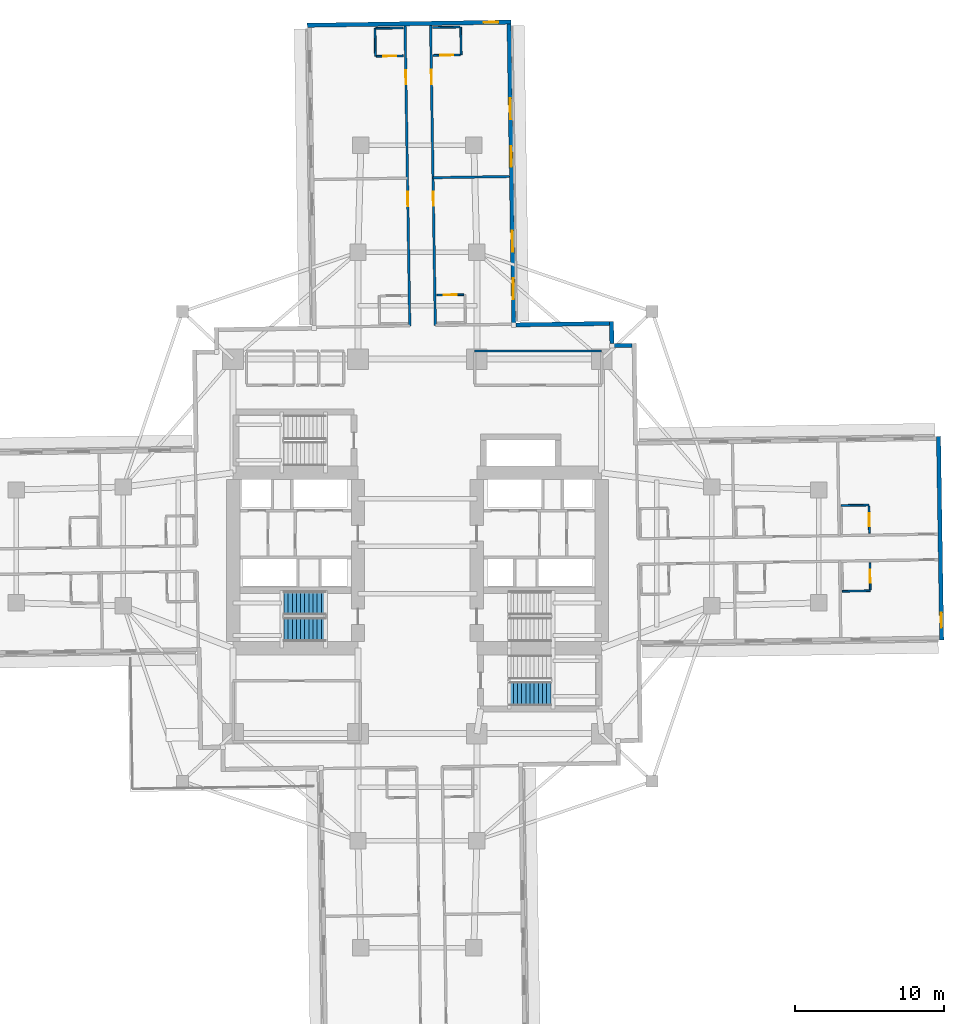
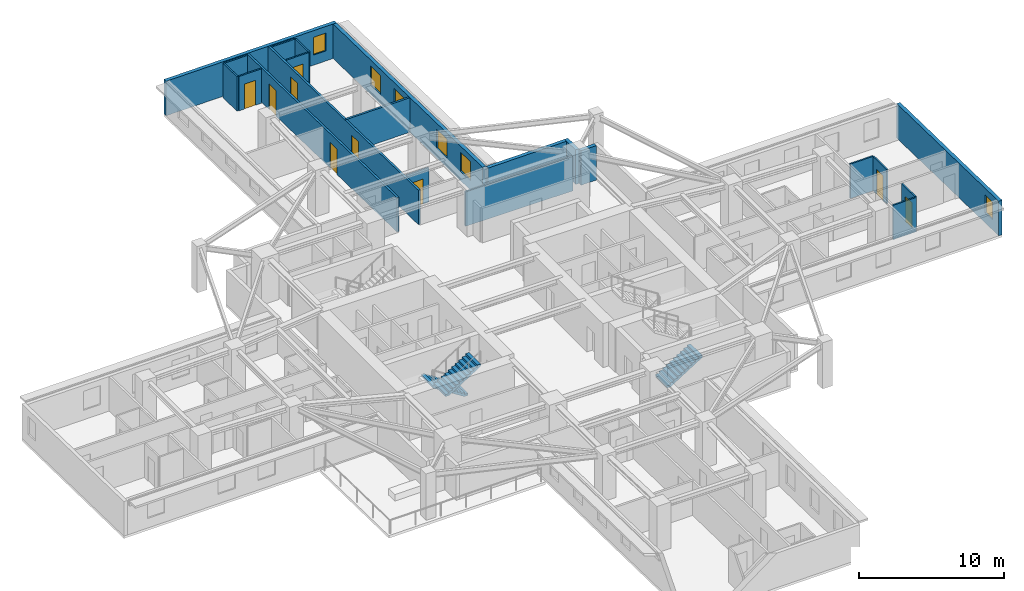
# One storey, part 8 of 14: 21 walls, 9 doors, 6 windows, 3 stair flights, 15 openings, 2 elements without a shape of their own.
"""IFC4 building model written with IfcOpenShell, lengths in metres."""

from ifc_helpers import new_model, si_unit, direction, frame, frame_2d, origin, place, context, subcontext, project, spatial, polyline, rectangle, outline, extrude, material, layer, layer_set, type_object, element, fill, aggregate, save


model = new_model("IFC4")

# Units and contexts
model_context = context("Model", 3, precision=1e-05, world=origin(), true_north=direction((0.0, 1.0)))
body_context = subcontext(model_context, "Body", "Model", "MODEL_VIEW")
ifc_project = project(units=[si_unit("LENGTHUNIT", "METRE"), si_unit("AREAUNIT", "SQUARE_METRE"), si_unit("VOLUMEUNIT", "CUBIC_METRE"), si_unit("PLANEANGLEUNIT", "RADIAN"), si_unit("MASSUNIT", "GRAM", prefix="KILO")], contexts=[model_context])

# Site, building, storey
site_placement = place(None, origin())
site = spatial("IfcSite", under=ifc_project, at=site_placement, CompositionType="ELEMENT")
building_placement = place(site_placement, origin())
building = spatial("IfcBuilding", under=site, at=building_placement, Name="Qingluan Cross Belvedere", CompositionType="ELEMENT")
storey_placement = place(building_placement, frame((0.0, 0.0, 60.0)))
storey = spatial("IfcBuildingStorey", under=building, at=storey_placement, Name="L15", CompositionType="ELEMENT", Elevation=60.0)

# Wall
ifc_material_1 = material(Name="Gypsum plasterboard on steel stud acoustic partition", Category="steel")
ifc_layer_1 = layer(ifc_material_1, 0.159912109375, Name="CorridorPartition_160")
ifc_layer_set_1 = layer_set([ifc_layer_1], Name="Gypsum plasterboard on steel stud acoustic partition")
wall_type_1 = type_object("IfcWallType", Name="CorridorPartition_160", PredefinedType="PARTITIONING", material=ifc_layer_set_1)
wall_1_placement = place(storey_placement, frame((3.85009765625, 13.14990234375, 0.0), z_axis=(0.0, 0.0, 1.0), x_axis=(1.0, 0.0, 0.0)))
element("IfcWall", 1, at=wall_1_placement, inside=storey, type_object=wall_type_1, Name="Partition L15:q_ne:N", PredefinedType="PARTITIONING", context=body_context, shape_type="SweptSolid", body=[
    extrude(rectangle(XDim=8.5498046875, YDim=0.159912109375, at=frame_2d((4.27490234375, 0.0))), origin(), (0.0, 0.0, 1.0), 2.89990234375),
])

# Wall, openings, doors
wall_2_placement = place(storey_placement, frame((1.20654296875, 14.870849609375, 0.0), z_axis=(0.0, 0.0, 1.0), x_axis=(-0.015713987169, 0.999876527681, 0.0)))
wall_2 = element("IfcWall", 2, at=wall_2_placement, inside=storey, type_object=wall_type_1, Name="Partition L15:N:c0", PredefinedType="PARTITIONING", context=body_context, shape_type="SweptSolid", body=[
    extrude(rectangle(XDim=20.181884765625, YDim=0.159912109375, at=frame_2d((10.0908203125, 0.0))), origin(), (0.0, 0.0, 1.0), 2.89990234375),
])
opening_1_placement = place(wall_2_placement, frame((8.047119140625, 0.0, 0.0)))
opening_1 = element("IfcOpeningElement", 3, at=opening_1_placement, cuts=wall_2, Name="Opening GD-10", PredefinedType="OPENING", context=body_context, shape_type="SweptSolid", body=[
    extrude(rectangle(XDim=0.9599609375, YDim=2.14990234375, at=frame_2d((0.47998046875, 1.074951171875))), frame((0.0, 0.08984375, 0.0), z_axis=(0.0, -1.0, 0.0), x_axis=(1.0, 0.0, 0.0)), (0.0, 0.0, 1.0), 0.179931640625),
])
opening_2_placement = place(wall_2_placement, frame((16.242919921875, 0.0, 0.0)))
opening_2 = element("IfcOpeningElement", 4, at=opening_2_placement, cuts=wall_2, Name="Opening GD-10", PredefinedType="OPENING", context=body_context, shape_type="SweptSolid", body=[
    extrude(rectangle(XDim=0.9599609375, YDim=2.14990234375, at=frame_2d((0.47998046875, 1.074951171875))), frame((0.0, 0.08984375, 0.0), z_axis=(0.0, -1.0, 0.0), x_axis=(1.0, 0.0, 0.0)), (0.0, 0.0, 1.0), 0.179931640625),
])
ifc_material_2 = material(Name="Timber oak fire-rated acoustic guestroom door", Category="wood")
door_type_1 = type_object("IfcDoorType", Name="GuestEntryDoor_FD60", OperationType="NOTDEFINED", PredefinedType="DOOR", material=ifc_material_2)
door_1_placement = place(opening_1_placement, origin())
door_1 = element("IfcDoor", 5, at=door_1_placement, inside=storey, type_object=door_type_1, Name="Guest entry fire door 1513", OperationType="SINGLE_SWING_LEFT", OverallHeight=2.14990234375, OverallWidth=0.9599609375, PredefinedType="DOOR", context=body_context, shape_type="SweptSolid", body=[
    extrude(rectangle(XDim=0.9599609375, YDim=2.14990234375, at=frame_2d((0.47998046875, 1.074951171875))), frame((0.0, 0.02490234375, 0.0), z_axis=(0.0, -1.0, 0.0), x_axis=(1.0, 0.0, 0.0)), (0.0, 0.0, 1.0), 0.050048828125),
])
fill(opening_1, door_1)
door_2_placement = place(opening_2_placement, origin())
door_2 = element("IfcDoor", 6, at=door_2_placement, inside=storey, type_object=door_type_1, Name="Guest entry fire door 1514", OperationType="SINGLE_SWING_LEFT", OverallHeight=2.14990234375, OverallWidth=0.9599609375, PredefinedType="DOOR", context=body_context, shape_type="SweptSolid", body=[
    extrude(rectangle(XDim=0.9599609375, YDim=2.14990234375, at=frame_2d((0.47998046875, 1.074951171875))), frame((0.0, 0.02490234375, 0.0), z_axis=(0.0, -1.0, 0.0), x_axis=(1.0, 0.0, 0.0)), (0.0, 0.0, 1.0), 0.050048828125),
])
fill(opening_2, door_2)

# Wall
wall_3_placement = place(storey_placement, frame((1.05029296875, 24.810546875, 0.0), z_axis=(0.0, 0.0, 1.0), x_axis=(0.99987677651, 0.01569814626, 0.0)))
element("IfcWall", 7, at=wall_3_placement, inside=storey, type_object=wall_type_1, Name="Partition L15:N:d0_0", PredefinedType="PARTITIONING", context=body_context, shape_type="SweptSolid", body=[
    extrude(rectangle(XDim=5.13232421875, YDim=0.159912109375, at=frame_2d((2.566162109375, 0.0))), origin(), (0.0, 0.0, 1.0), 2.89990234375),
])

# Wall, openings, doors
wall_4_placement = place(storey_placement, frame((-0.51318359375, 14.84375, 0.0), z_axis=(0.0, 0.0, 1.0), x_axis=(-0.015701893165, 0.999876717676, 0.0)))
wall_4 = element("IfcWall", 8, at=wall_4_placement, inside=storey, type_object=wall_type_1, Name="Partition L15:N:c1", PredefinedType="PARTITIONING", context=body_context, shape_type="SweptSolid", body=[
    extrude(rectangle(XDim=20.181884765625, YDim=0.159912109375, at=frame_2d((10.0908203125, 0.0))), origin(), (0.0, 0.0, 1.0), 2.89990234375),
])
opening_3_placement = place(wall_4_placement, frame((8.047119140625, 0.0, 0.0)))
opening_3 = element("IfcOpeningElement", 9, at=opening_3_placement, cuts=wall_4, Name="Opening GD-10", PredefinedType="OPENING", context=body_context, shape_type="SweptSolid", body=[
    extrude(rectangle(XDim=0.9599609375, YDim=2.14990234375, at=frame_2d((0.47998046875, 1.074951171875))), frame((0.0, 0.08984375, 0.0), z_axis=(0.0, -1.0, 0.0), x_axis=(1.0, 0.0, 0.0)), (0.0, 0.0, 1.0), 0.179931640625),
])
opening_4_placement = place(wall_4_placement, frame((16.242919921875, 0.0, 0.0)))
opening_4 = element("IfcOpeningElement", 10, at=opening_4_placement, cuts=wall_4, Name="Opening GD-10", PredefinedType="OPENING", context=body_context, shape_type="SweptSolid", body=[
    extrude(rectangle(XDim=0.9599609375, YDim=2.14990234375, at=frame_2d((0.47998046875, 1.074951171875))), frame((0.0, 0.08984375, 0.0), z_axis=(0.0, -1.0, 0.0), x_axis=(1.0, 0.0, 0.0)), (0.0, 0.0, 1.0), 0.179931640625),
])
door_3_placement = place(opening_3_placement, origin())
door_3 = element("IfcDoor", 11, at=door_3_placement, inside=storey, type_object=door_type_1, Name="Guest entry fire door 1515", OperationType="SINGLE_SWING_LEFT", OverallHeight=2.14990234375, OverallWidth=0.9599609375, PredefinedType="DOOR", context=body_context, shape_type="SweptSolid", body=[
    extrude(rectangle(XDim=0.9599609375, YDim=2.14990234375, at=frame_2d((0.47998046875, 1.074951171875))), frame((0.0, 0.02490234375, 0.0), z_axis=(0.0, -1.0, 0.0), x_axis=(1.0, 0.0, 0.0)), (0.0, 0.0, 1.0), 0.050048828125),
])
fill(opening_3, door_3)
door_4_placement = place(opening_4_placement, origin())
door_4 = element("IfcDoor", 12, at=door_4_placement, inside=storey, type_object=door_type_1, Name="Guest entry fire door 1516", OperationType="SINGLE_SWING_LEFT", OverallHeight=2.14990234375, OverallWidth=0.9599609375, PredefinedType="DOOR", context=body_context, shape_type="SweptSolid", body=[
    extrude(rectangle(XDim=0.9599609375, YDim=2.14990234375, at=frame_2d((0.47998046875, 1.074951171875))), frame((0.0, 0.02490234375, 0.0), z_axis=(0.0, -1.0, 0.0), x_axis=(1.0, 0.0, 0.0)), (0.0, 0.0, 1.0), 0.050048828125),
])
fill(opening_4, door_4)

# Wall, opening, door
ifc_material_3 = material(Name="Moisture-resistant gypsum board lining")
ifc_layer_2 = layer(ifc_material_3, 0.1201171875, Name="EnsuiteWetPartition_120")
ifc_layer_set_2 = layer_set([ifc_layer_2], Name="Moisture-resistant gypsum board lining")
wall_type_2 = type_object("IfcWallType", Name="EnsuiteWetPartition_120", PredefinedType="PARTITIONING", material=ifc_layer_set_2)
wall_5_placement = place(storey_placement, frame((30.419677734375, 0.89794921875, 0.0), z_axis=(0.0, 0.0, 1.0), x_axis=(-0.015694337248, 0.999876836305, 0.0)))
wall_5 = element("IfcWall", 13, at=wall_5_placement, inside=storey, type_object=wall_type_2, Name="Partition L15:E:bs0_2", PredefinedType="PARTITIONING", context=body_context, shape_type="SweptSolid", body=[
    extrude(rectangle(XDim=1.820068359375, YDim=0.1201171875, at=frame_2d((0.91015625, 0.0))), origin(), (0.0, 0.0, 1.0), 2.89990234375),
])
opening_5_placement = place(wall_5_placement, frame((0.469970703125, 0.0, 0.0)))
opening_5 = element("IfcOpeningElement", 14, at=opening_5_placement, cuts=wall_5, Name="Opening BD-09", PredefinedType="OPENING", context=body_context, shape_type="SweptSolid", body=[
    extrude(rectangle(XDim=0.8798828125, YDim=2.10009765625, at=frame_2d((0.43994140625, 1.050048828125))), frame((0.0, 0.070068359375, 0.0), z_axis=(0.0, -1.0, 0.0), x_axis=(1.0, 0.0, 0.0)), (0.0, 0.0, 1.0), 0.14013671875),
])
ifc_material_4 = material(Name="Moisture-sealed timber en-suite door", Category="wood")
door_type_2 = type_object("IfcDoorType", Name="BathroomDoor_880", OperationType="NOTDEFINED", PredefinedType="DOOR", material=ifc_material_4)
door_5_placement = place(opening_5_placement, origin())
door_5 = element("IfcDoor", 15, at=door_5_placement, inside=storey, type_object=door_type_2, Name="Bathroom door 1503", OperationType="SINGLE_SWING_RIGHT", OverallHeight=2.10009765625, OverallWidth=0.8798828125, PredefinedType="DOOR", context=body_context, shape_type="SweptSolid", body=[
    extrude(rectangle(XDim=0.8798828125, YDim=2.10009765625, at=frame_2d((0.43994140625, 1.050048828125))), frame((0.0, 0.02490234375, 0.0), z_axis=(0.0, -1.0, 0.0), x_axis=(1.0, 0.0, 0.0)), (0.0, 0.0, 1.0), 0.050048828125),
])
fill(opening_5, door_5)

# Wall
wall_6_placement = place(storey_placement, frame((28.51025390625, 2.753173828125, 0.0), z_axis=(0.0, 0.0, 1.0), x_axis=(0.99987652141, 0.015714386166, 0.0)))
element("IfcWall", 16, at=wall_6_placement, inside=storey, type_object=wall_type_2, Name="Partition L15:E:bn0_2", PredefinedType="PARTITIONING", context=body_context, shape_type="SweptSolid", body=[
    extrude(rectangle(XDim=1.8798828125, YDim=0.1201171875, at=frame_2d((0.93994140625, 0.0))), origin(), (0.0, 0.0, 1.0), 2.89990234375),
])

# Wall, opening, door
wall_7_placement = place(storey_placement, frame((30.479736328125, -2.921630859375, 0.0), z_axis=(0.0, 0.0, 1.0), x_axis=(-0.015694337248, 0.999876836305, 0.0)))
wall_7 = element("IfcWall", 17, at=wall_7_placement, inside=storey, type_object=wall_type_2, Name="Partition L15:E:bs1_2", PredefinedType="PARTITIONING", context=body_context, shape_type="SweptSolid", body=[
    extrude(rectangle(XDim=1.820068359375, YDim=0.1201171875, at=frame_2d((0.91015625, 0.0))), origin(), (0.0, 0.0, 1.0), 2.89990234375),
])
opening_6_placement = place(wall_7_placement, frame((0.469970703125, 0.0, 0.0)))
opening_6 = element("IfcOpeningElement", 18, at=opening_6_placement, cuts=wall_7, Name="Opening BD-09", PredefinedType="OPENING", context=body_context, shape_type="SweptSolid", body=[
    extrude(rectangle(XDim=0.8798828125, YDim=2.10009765625, at=frame_2d((0.43994140625, 1.050048828125))), frame((0.0, 0.070068359375, 0.0), z_axis=(0.0, -1.0, 0.0), x_axis=(1.0, 0.0, 0.0)), (0.0, 0.0, 1.0), 0.14013671875),
])
door_6_placement = place(opening_6_placement, origin())
door_6 = element("IfcDoor", 19, at=door_6_placement, inside=storey, type_object=door_type_2, Name="Bathroom door 1506", OperationType="SINGLE_SWING_RIGHT", OverallHeight=2.10009765625, OverallWidth=0.8798828125, PredefinedType="DOOR", context=body_context, shape_type="SweptSolid", body=[
    extrude(rectangle(XDim=0.8798828125, YDim=2.10009765625, at=frame_2d((0.43994140625, 1.050048828125))), frame((0.0, 0.02490234375, 0.0), z_axis=(0.0, -1.0, 0.0), x_axis=(1.0, 0.0, 0.0)), (0.0, 0.0, 1.0), 0.050048828125),
])
fill(opening_6, door_6)

# Wall
wall_8_placement = place(storey_placement, frame((28.600830078125, -3.01611328125, 0.0), z_axis=(0.0, 0.0, 1.0), x_axis=(0.999876553475, 0.01571234584, 0.0)))
element("IfcWall", 20, at=wall_8_placement, inside=storey, type_object=wall_type_2, Name="Partition L15:E:bc1_2", PredefinedType="PARTITIONING", context=body_context, shape_type="SweptSolid", body=[
    extrude(rectangle(XDim=1.880126953125, YDim=0.1201171875, at=frame_2d((0.93994140625, 0.0))), origin(), (0.0, 0.0, 1.0), 2.89990234375),
])

# Wall, opening, door
wall_9_placement = place(storey_placement, frame((1.314453125, 16.91259765625, 0.0), z_axis=(0.0, 0.0, 1.0), x_axis=(0.999874722342, 0.015828443418, 0.0)))
wall_9 = element("IfcWall", 21, at=wall_9_placement, inside=storey, type_object=wall_type_2, Name="Partition L15:N:bs0_0", PredefinedType="PARTITIONING", context=body_context, shape_type="SweptSolid", body=[
    extrude(rectangle(XDim=1.820068359375, YDim=0.1201171875, at=frame_2d((0.91015625, 0.0))), origin(), (0.0, 0.0, 1.0), 2.89990234375),
])
opening_7_placement = place(wall_9_placement, frame((0.469970703125, 0.0, 0.0)))
opening_7 = element("IfcOpeningElement", 22, at=opening_7_placement, cuts=wall_9, Name="Opening BD-09", PredefinedType="OPENING", context=body_context, shape_type="SweptSolid", body=[
    extrude(rectangle(XDim=0.8798828125, YDim=2.10009765625, at=frame_2d((0.43994140625, 1.050048828125))), frame((0.0, 0.070068359375, 0.0), z_axis=(0.0, -1.0, 0.0), x_axis=(1.0, 0.0, 0.0)), (0.0, 0.0, 1.0), 0.14013671875),
])
door_7_placement = place(opening_7_placement, origin())
door_7 = element("IfcDoor", 23, at=door_7_placement, inside=storey, type_object=door_type_2, Name="Bathroom door 1513", OperationType="SINGLE_SWING_RIGHT", OverallHeight=2.10009765625, OverallWidth=0.8798828125, PredefinedType="DOOR", context=body_context, shape_type="SweptSolid", body=[
    extrude(rectangle(XDim=0.8798828125, YDim=2.10009765625, at=frame_2d((0.43994140625, 1.050048828125))), frame((0.0, 0.02490234375, 0.0), z_axis=(0.0, -1.0, 0.0), x_axis=(1.0, 0.0, 0.0)), (0.0, 0.0, 1.0), 0.050048828125),
])
fill(opening_7, door_7)

wall_10_placement = place(storey_placement, frame((1.06103515625, 33.040771484375, 0.0), z_axis=(0.0, 0.0, 1.0), x_axis=(0.999876836305, 0.015694337248, 0.0)))
wall_10 = element("IfcWall", 24, at=wall_10_placement, inside=storey, type_object=wall_type_2, Name="Partition L15:N:bs0_1", PredefinedType="PARTITIONING", context=body_context, shape_type="SweptSolid", body=[
    extrude(rectangle(XDim=1.820068359375, YDim=0.1201171875, at=frame_2d((0.91015625, 0.0))), origin(), (0.0, 0.0, 1.0), 2.89990234375),
])
opening_8_placement = place(wall_10_placement, frame((0.469970703125, 0.0, 0.0)))
opening_8 = element("IfcOpeningElement", 25, at=opening_8_placement, cuts=wall_10, Name="Opening BD-09", PredefinedType="OPENING", context=body_context, shape_type="SweptSolid", body=[
    extrude(rectangle(XDim=0.8798828125, YDim=2.10009765625, at=frame_2d((0.43994140625, 1.050048828125))), frame((0.0, 0.070068359375, 0.0), z_axis=(0.0, -1.0, 0.0), x_axis=(1.0, 0.0, 0.0)), (0.0, 0.0, 1.0), 0.14013671875),
])
door_8_placement = place(opening_8_placement, origin())
door_8 = element("IfcDoor", 26, at=door_8_placement, inside=storey, type_object=door_type_2, Name="Bathroom door 1514", OperationType="SINGLE_SWING_RIGHT", OverallHeight=2.10009765625, OverallWidth=0.8798828125, PredefinedType="DOOR", context=body_context, shape_type="SweptSolid", body=[
    extrude(rectangle(XDim=0.8798828125, YDim=2.10009765625, at=frame_2d((0.43994140625, 1.050048828125))), frame((0.0, 0.02490234375, 0.0), z_axis=(0.0, -1.0, 0.0), x_axis=(1.0, 0.0, 0.0)), (0.0, 0.0, 1.0), 0.050048828125),
])
fill(opening_8, door_8)

# Walls
wall_11_placement = place(storey_placement, frame((1.031494140625, 34.92041015625, 0.0), z_axis=(0.0, 0.0, 1.0), x_axis=(0.999874722342, 0.015828443418, 0.0)))
element("IfcWall", 27, at=wall_11_placement, inside=storey, type_object=wall_type_2, Name="Partition L15:N:bw0_1", PredefinedType="PARTITIONING", context=body_context, shape_type="SweptSolid", body=[
    extrude(rectangle(XDim=1.820068359375, YDim=0.1201171875, at=frame_2d((0.91015625, 0.0))), origin(), (0.0, 0.0, 1.0), 2.89990234375),
])
wall_12_placement = place(storey_placement, frame((2.94580078125, 33.0703125, 0.0), z_axis=(0.0, 0.0, 1.0), x_axis=(-0.015582523404, 0.999878585111, 0.0)))
element("IfcWall", 28, at=wall_12_placement, inside=storey, type_object=wall_type_2, Name="Partition L15:N:bn0_1", PredefinedType="PARTITIONING", context=body_context, shape_type="SweptSolid", body=[
    extrude(rectangle(XDim=1.880126953125, YDim=0.1201171875, at=frame_2d((0.93994140625, 0.0))), origin(), (0.0, 0.0, 1.0), 2.89990234375),
])

# Wall, opening, door
wall_13_placement = place(storey_placement, frame((-2.75830078125, 32.980712890625, 0.0), z_axis=(0.0, 0.0, 1.0), x_axis=(0.999876803258, 0.015696442504, 0.0)))
wall_13 = element("IfcWall", 29, at=wall_13_placement, inside=storey, type_object=wall_type_2, Name="Partition L15:N:bs1_1", PredefinedType="PARTITIONING", context=body_context, shape_type="SweptSolid", body=[
    extrude(rectangle(XDim=1.81982421875, YDim=0.1201171875, at=frame_2d((0.909912109375, 0.0))), origin(), (0.0, 0.0, 1.0), 2.89990234375),
])
opening_9_placement = place(wall_13_placement, frame((0.469970703125, 0.0, 0.0)))
opening_9 = element("IfcOpeningElement", 30, at=opening_9_placement, cuts=wall_13, Name="Opening BD-09", PredefinedType="OPENING", context=body_context, shape_type="SweptSolid", body=[
    extrude(rectangle(XDim=0.8798828125, YDim=2.10009765625, at=frame_2d((0.43994140625, 1.050048828125))), frame((0.0, 0.070068359375, 0.0), z_axis=(0.0, -1.0, 0.0), x_axis=(1.0, 0.0, 0.0)), (0.0, 0.0, 1.0), 0.14013671875),
])
door_9_placement = place(opening_9_placement, origin())
door_9 = element("IfcDoor", 31, at=door_9_placement, inside=storey, type_object=door_type_2, Name="Bathroom door 1516", OperationType="SINGLE_SWING_RIGHT", OverallHeight=2.10009765625, OverallWidth=0.8798828125, PredefinedType="DOOR", context=body_context, shape_type="SweptSolid", body=[
    extrude(rectangle(XDim=0.8798828125, YDim=2.10009765625, at=frame_2d((0.43994140625, 1.050048828125))), frame((0.0, 0.02490234375, 0.0), z_axis=(0.0, -1.0, 0.0), x_axis=(1.0, 0.0, 0.0)), (0.0, 0.0, 1.0), 0.050048828125),
])
fill(opening_9, door_9)

# Walls
wall_14_placement = place(storey_placement, frame((-2.787841796875, 34.860595703125, 0.0), z_axis=(0.0, 0.0, 1.0), x_axis=(0.999876836305, 0.015694337248, 0.0)))
element("IfcWall", 32, at=wall_14_placement, inside=storey, type_object=wall_type_2, Name="Partition L15:N:bw1_1", PredefinedType="PARTITIONING", context=body_context, shape_type="SweptSolid", body=[
    extrude(rectangle(XDim=1.820068359375, YDim=0.1201171875, at=frame_2d((0.91015625, 0.0))), origin(), (0.0, 0.0, 1.0), 2.89990234375),
])
wall_15_placement = place(storey_placement, frame((-2.823486328125, 32.979736328125, 0.0), z_axis=(0.0, 0.0, 1.0), x_axis=(-0.015582523404, 0.999878585111, 0.0)))
element("IfcWall", 33, at=wall_15_placement, inside=storey, type_object=wall_type_2, Name="Partition L15:N:bc1_1", PredefinedType="PARTITIONING", context=body_context, shape_type="SweptSolid", body=[
    extrude(rectangle(XDim=1.880126953125, YDim=0.1201171875, at=frame_2d((0.93994140625, 0.0))), origin(), (0.0, 0.0, 1.0), 2.89990234375),
])

# Wall, opening, window
ifc_material_5 = material(Name="Precast concrete C45", Category="concrete")
ifc_layer_3 = layer(ifc_material_5, 0.280029296875, Name="PrecastFacadeWall_280")
ifc_layer_set_3 = layer_set([ifc_layer_3], Name="Precast concrete C45")
wall_type_3 = type_object("IfcWallType", Name="PrecastFacadeWall_280", PredefinedType="STANDARD", material=ifc_layer_set_3)
wall_16_placement = place(storey_placement, frame((35.283447265625, -6.306640625, 0.0), z_axis=(0.0, 0.0, 1.0), x_axis=(-0.015712599986, 0.999876549481, 0.0)))
wall_16 = element("IfcWall", 34, at=wall_16_placement, inside=storey, type_object=wall_type_3, Name="Arm tip precast facade wall L15-E", PredefinedType="STANDARD", context=body_context, shape_type="SweptSolid", body=[
    extrude(rectangle(XDim=13.719970703125, YDim=0.280029296875, at=frame_2d((6.85986328125, 0.0))), origin(), (0.0, 0.0, 1.0), 2.909912109375),
])
opening_10_placement = place(wall_16_placement, frame((0.85009765625, 0.0, 0.85009765625)))
opening_10 = element("IfcOpeningElement", 35, at=opening_10_placement, cuts=wall_16, Name="Opening W-03", PredefinedType="OPENING", context=body_context, shape_type="SweptSolid", body=[
    extrude(rectangle(XDim=1.0, YDim=1.5, at=frame_2d((0.5, 0.75))), frame((0.0, 0.14990234375, 0.0), z_axis=(0.0, -1.0, 0.0), x_axis=(1.0, 0.0, 0.0)), (0.0, 0.0, 1.0), 0.300048828125),
])
ifc_material_6 = material(Name="Thermally broken triple Low-E glass in aluminium frame", Category="aluminium")
window_type_1 = type_object("IfcWindowType", Name="TriApexWin_1000x1500", PartitioningType="SINGLE_PANEL", PredefinedType="WINDOW", material=ifc_material_6)
window_1_placement = place(opening_10_placement, origin())
window_1 = element("IfcWindow", 36, at=window_1_placement, inside=storey, type_object=window_type_1, Name="Arm tip triangular window L15-E", OverallHeight=1.5, OverallWidth=1.0, PartitioningType="SINGLE_PANEL", PredefinedType="WINDOW", context=body_context, shape_type="SweptSolid", body=[
    extrude(rectangle(XDim=1.0, YDim=1.5, at=frame_2d((0.5, 0.75))), frame((0.0, 0.030029296875, 0.0), z_axis=(0.0, -1.0, 0.0), x_axis=(1.0, 0.0, 0.0)), (0.0, 0.0, 1.0), 0.06005859375),
])
fill(opening_10, window_1)

# Wall, openings, windows
wall_17_placement = place(storey_placement, frame((6.484619140625, 15.043701171875, 0.0), z_axis=(0.0, 0.0, 1.0), x_axis=(-0.01571739401, 0.999876474133, 0.0)))
wall_17 = element("IfcWall", 37, at=wall_17_placement, inside=storey, type_object=wall_type_3, Name="Facade wall L15-NA", PredefinedType="STANDARD", context=body_context, shape_type="SweptSolid", body=[
    extrude(rectangle(XDim=20.099853515625, YDim=0.280029296875, at=frame_2d((10.0498046875, 0.0))), origin(), (0.0, 0.0, 1.0), 2.909912109375),
])
opening_11_placement = place(wall_17_placement, frame((1.60009765625, 0.0, 0.800048828125)))
opening_11 = element("IfcOpeningElement", 38, at=opening_11_placement, cuts=wall_17, Name="Opening W-01", PredefinedType="OPENING", context=body_context, shape_type="SweptSolid", body=[
    extrude(rectangle(XDim=1.39990234375, YDim=1.60009765625, at=frame_2d((0.699951171875, 0.800048828125))), frame((0.0, 0.14990234375, 0.0), z_axis=(0.0, -1.0, 0.0), x_axis=(1.0, 0.0, 0.0)), (0.0, 0.0, 1.0), 0.300048828125),
])
opening_12_placement = place(wall_17_placement, frame((4.800048828125, 0.0, 0.800048828125)))
opening_12 = element("IfcOpeningElement", 39, at=opening_12_placement, cuts=wall_17, Name="Opening W-01", PredefinedType="OPENING", context=body_context, shape_type="SweptSolid", body=[
    extrude(rectangle(XDim=1.39990234375, YDim=1.60009765625, at=frame_2d((0.699951171875, 0.800048828125))), frame((0.0, 0.14990234375, 0.0), z_axis=(0.0, -1.0, 0.0), x_axis=(1.0, 0.0, 0.0)), (0.0, 0.0, 1.0), 0.300048828125),
])
opening_13_placement = place(wall_17_placement, frame((10.5, 0.0, 0.800048828125)))
opening_13 = element("IfcOpeningElement", 40, at=opening_13_placement, cuts=wall_17, Name="Opening W-01", PredefinedType="OPENING", context=body_context, shape_type="SweptSolid", body=[
    extrude(rectangle(XDim=1.39990234375, YDim=1.60009765625, at=frame_2d((0.699951171875, 0.800048828125))), frame((0.0, 0.14990234375, 0.0), z_axis=(0.0, -1.0, 0.0), x_axis=(1.0, 0.0, 0.0)), (0.0, 0.0, 1.0), 0.300048828125),
])
opening_14_placement = place(wall_17_placement, frame((13.699951171875, 0.0, 0.800048828125)))
opening_14 = element("IfcOpeningElement", 41, at=opening_14_placement, cuts=wall_17, Name="Opening W-01", PredefinedType="OPENING", context=body_context, shape_type="SweptSolid", body=[
    extrude(rectangle(XDim=1.39990234375, YDim=1.60009765625, at=frame_2d((0.699951171875, 0.800048828125))), frame((0.0, 0.14990234375, 0.0), z_axis=(0.0, -1.0, 0.0), x_axis=(1.0, 0.0, 0.0)), (0.0, 0.0, 1.0), 0.300048828125),
])
ifc_material_7 = material(Name="Thermally broken triple Low-E glass in aluminium frame", Category="aluminium")
window_type_2 = type_object("IfcWindowType", Name="TriRibbonWin_1400x1600", PartitioningType="SINGLE_PANEL", PredefinedType="WINDOW", material=ifc_material_7)
window_2_placement = place(opening_11_placement, origin())
window_2 = element("IfcWindow", 42, at=window_2_placement, inside=storey, type_object=window_type_2, Name="Ribbon window L15-NA-1", OverallHeight=1.60009765625, OverallWidth=1.39990234375, PartitioningType="SINGLE_PANEL", PredefinedType="WINDOW", context=body_context, shape_type="SweptSolid", body=[
    extrude(rectangle(XDim=1.39990234375, YDim=1.60009765625, at=frame_2d((0.699951171875, 0.800048828125))), frame((0.0, 0.030029296875, 0.0), z_axis=(0.0, -1.0, 0.0), x_axis=(1.0, 0.0, 0.0)), (0.0, 0.0, 1.0), 0.06005859375),
])
fill(opening_11, window_2)
window_3_placement = place(opening_12_placement, origin())
window_3 = element("IfcWindow", 43, at=window_3_placement, inside=storey, type_object=window_type_2, Name="Ribbon window L15-NA-2", OverallHeight=1.60009765625, OverallWidth=1.39990234375, PartitioningType="SINGLE_PANEL", PredefinedType="WINDOW", context=body_context, shape_type="SweptSolid", body=[
    extrude(rectangle(XDim=1.39990234375, YDim=1.60009765625, at=frame_2d((0.699951171875, 0.800048828125))), frame((0.0, 0.030029296875, 0.0), z_axis=(0.0, -1.0, 0.0), x_axis=(1.0, 0.0, 0.0)), (0.0, 0.0, 1.0), 0.06005859375),
])
fill(opening_12, window_3)
window_4_placement = place(opening_13_placement, origin())
window_4 = element("IfcWindow", 44, at=window_4_placement, inside=storey, type_object=window_type_2, Name="Ribbon window L15-NA-3", OverallHeight=1.60009765625, OverallWidth=1.39990234375, PartitioningType="SINGLE_PANEL", PredefinedType="WINDOW", context=body_context, shape_type="SweptSolid", body=[
    extrude(rectangle(XDim=1.39990234375, YDim=1.60009765625, at=frame_2d((0.699951171875, 0.800048828125))), frame((0.0, 0.030029296875, 0.0), z_axis=(0.0, -1.0, 0.0), x_axis=(1.0, 0.0, 0.0)), (0.0, 0.0, 1.0), 0.06005859375),
])
fill(opening_13, window_4)
window_5_placement = place(opening_14_placement, origin())
window_5 = element("IfcWindow", 45, at=window_5_placement, inside=storey, type_object=window_type_2, Name="Ribbon window L15-NA-4", OverallHeight=1.60009765625, OverallWidth=1.39990234375, PartitioningType="SINGLE_PANEL", PredefinedType="WINDOW", context=body_context, shape_type="SweptSolid", body=[
    extrude(rectangle(XDim=1.39990234375, YDim=1.60009765625, at=frame_2d((0.699951171875, 0.800048828125))), frame((0.0, 0.030029296875, 0.0), z_axis=(0.0, -1.0, 0.0), x_axis=(1.0, 0.0, 0.0)), (0.0, 0.0, 1.0), 0.06005859375),
])
fill(opening_14, window_5)

# Wall, opening, window
wall_18_placement = place(storey_placement, frame((6.306640625, 35.283447265625, 0.0), z_axis=(0.0, 0.0, 1.0), x_axis=(-0.999876549481, -0.015712599986, 0.0)))
wall_18 = element("IfcWall", 46, at=wall_18_placement, inside=storey, type_object=wall_type_3, Name="Arm tip precast facade wall L15-N", PredefinedType="STANDARD", context=body_context, shape_type="SweptSolid", body=[
    extrude(rectangle(XDim=13.719970703125, YDim=0.280029296875, at=frame_2d((6.85986328125, 0.0))), origin(), (0.0, 0.0, 1.0), 2.909912109375),
])
opening_15_placement = place(wall_18_placement, frame((0.85009765625, 0.0, 0.85009765625)))
opening_15 = element("IfcOpeningElement", 47, at=opening_15_placement, cuts=wall_18, Name="Opening W-03", PredefinedType="OPENING", context=body_context, shape_type="SweptSolid", body=[
    extrude(rectangle(XDim=1.0, YDim=1.5, at=frame_2d((0.5, 0.75))), frame((0.0, 0.14990234375, 0.0), z_axis=(0.0, -1.0, 0.0), x_axis=(1.0, 0.0, 0.0)), (0.0, 0.0, 1.0), 0.300048828125),
])
window_6_placement = place(opening_15_placement, origin())
window_6 = element("IfcWindow", 48, at=window_6_placement, inside=storey, type_object=window_type_1, Name="Arm tip triangular window L15-N", OverallHeight=1.5, OverallWidth=1.0, PartitioningType="SINGLE_PANEL", PredefinedType="WINDOW", context=body_context, shape_type="SweptSolid", body=[
    extrude(rectangle(XDim=1.0, YDim=1.5, at=frame_2d((0.5, 0.75))), frame((0.0, 0.030029296875, 0.0), z_axis=(0.0, -1.0, 0.0), x_axis=(1.0, 0.0, 0.0)), (0.0, 0.0, 1.0), 0.06005859375),
])
fill(opening_15, window_6)

# Walls
wall_19_placement = place(storey_placement, frame((14.44921875, 13.528564453125, 0.0), z_axis=(0.0, 0.0, 1.0), x_axis=(-0.999878147354, -0.015610587569, 0.0)))
element("IfcWall", 49, at=wall_19_placement, inside=storey, type_object=wall_type_3, Name="Corner wall L15-NE2", PredefinedType="STANDARD", context=body_context, shape_type="SweptSolid", body=[
    extrude(rectangle(XDim=1.219970703125, YDim=0.280029296875, at=frame_2d((0.60986328125, 0.0))), origin(), (0.0, 0.0, 1.0), 2.909912109375),
])
wall_20_placement = place(storey_placement, frame((13.08740234375, 13.647216796875, 0.0), z_axis=(0.0, 0.0, 1.0), x_axis=(-0.015785793208, 0.999875396603, 0.0)))
element("IfcWall", 50, at=wall_20_placement, inside=storey, type_object=wall_type_3, Name="Corner wall L15-NE3", PredefinedType="STANDARD", context=body_context, shape_type="SweptSolid", body=[
    extrude(rectangle(XDim=1.500244140625, YDim=0.280029296875, at=frame_2d((0.75, 0.0))), origin(), (0.0, 0.0, 1.0), 2.909912109375),
])
wall_21_placement = place(storey_placement, frame((12.92578125, 15.0048828125, 0.0), z_axis=(0.0, 0.0, 1.0), x_axis=(-0.999876823822, -0.015695132501, 0.0)))
element("IfcWall", 51, at=wall_21_placement, inside=storey, type_object=wall_type_3, Name="Corner wall L15-NE4", PredefinedType="STANDARD", context=body_context, shape_type="SweptSolid", body=[
    extrude(rectangle(XDim=6.2998046875, YDim=0.280029296875, at=frame_2d((3.14990234375, 0.0))), origin(), (0.0, 0.0, 1.0), 2.909912109375),
])

# Stair, stair flights
ifc_material_8 = material(Name="Concrete C40", Category="concrete")
stair_type = type_object("IfcStairType", Name="CoreDoglegStair_1620", PredefinedType="HALF_TURN_STAIR", material=ifc_material_8)
stair_1_placement = place(storey_placement, origin())
stair_1 = element("IfcStair", 52, at=stair_1_placement, inside=storey, type_object=stair_type, Name="L15 ST1", PredefinedType="HALF_TURN_STAIR")
ifc_material_9 = material(Name="Concrete C40", Category="concrete")
ifc_layer_4 = layer(ifc_material_9, 0.179931640625, Name="StairFlight_RC180")
ifc_layer_set_4 = layer_set([ifc_layer_4], Name="Concrete C40")
stair_flight_type = type_object("IfcStairFlightType", Name="StairFlight_RC180", PredefinedType="STRAIGHT", material=ifc_layer_set_4)
stair_flight_1_placement = place(storey_placement, frame((-6.179931640625, -3.81005859375, 0.0), z_axis=(0.0, 0.0, 1.0), x_axis=(-1.0, 0.0, 0.0)))
stair_flight_1 = element("IfcStairFlight", 53, at=stair_flight_1_placement, type_object=stair_flight_type, Name="ST1 flight 1", NumberOfRisers=11, NumberOfTreads=10, PredefinedType="STRAIGHT", RiserHeight=0.177272727, TreadLength=0.28, context=body_context, shape_type="SweptSolid", body=[
    extrude(outline(polyline([(0.0, 0.0), (0.0, 0.17724609375), (0.280029296875, 0.17724609375), (0.280029296875, 0.3544921875), (0.56005859375, 0.3544921875), (0.56005859375, 0.53173828125), (0.840087890625, 0.53173828125), (0.840087890625, 0.708984375), (1.1201171875, 0.708984375), (1.1201171875, 0.886474609375), (1.39990234375, 0.886474609375), (1.39990234375, 1.063720703125), (1.679931640625, 1.063720703125), (1.679931640625, 1.240966796875), (1.9599609375, 1.240966796875), (1.9599609375, 1.418212890625), (2.239990234375, 1.418212890625), (2.239990234375, 1.595458984375), (2.52001953125, 1.595458984375), (2.52001953125, 1.772705078125), (2.800048828125, 1.772705078125), (2.800048828125, 1.949951171875), (2.800048828125, 1.59521484375), (0.2802734375, 0.0), (0.0, 0.0)])), frame((0.0, 0.81005859375, 0.0), z_axis=(0.0, -1.0, 0.0), x_axis=(1.0, 0.0, 0.0)), (0.0, 0.0, 1.0), 1.6201171875),
])
stair_flight_2_placement = place(storey_placement, frame((-8.97998046875, -5.590087890625, 1.949951171875), z_axis=(0.0, 0.0, 1.0), x_axis=(1.0, 0.0, 0.0)))
stair_flight_2 = element("IfcStairFlight", 54, at=stair_flight_2_placement, type_object=stair_flight_type, Name="ST1 flight 2", NumberOfRisers=11, NumberOfTreads=10, PredefinedType="STRAIGHT", RiserHeight=0.177272727, TreadLength=0.28, context=body_context, shape_type="SweptSolid", body=[
    extrude(outline(polyline([(0.0, 0.0), (0.0, 0.17724609375), (0.280029296875, 0.17724609375), (0.280029296875, 0.3544921875), (0.56005859375, 0.3544921875), (0.56005859375, 0.53173828125), (0.840087890625, 0.53173828125), (0.840087890625, 0.708984375), (1.1201171875, 0.708984375), (1.1201171875, 0.886474609375), (1.39990234375, 0.886474609375), (1.39990234375, 1.063720703125), (1.679931640625, 1.063720703125), (1.679931640625, 1.240966796875), (1.9599609375, 1.240966796875), (1.9599609375, 1.418212890625), (2.239990234375, 1.418212890625), (2.239990234375, 1.595458984375), (2.52001953125, 1.595458984375), (2.52001953125, 1.772705078125), (2.800048828125, 1.772705078125), (2.800048828125, 1.949951171875), (2.800048828125, 1.59521484375), (0.2802734375, 0.0), (0.0, 0.0)])), frame((0.0, 0.81005859375, 0.0), z_axis=(0.0, -1.0, 0.0), x_axis=(1.0, 0.0, 0.0)), (0.0, 0.0, 1.0), 1.6201171875),
])
aggregate(stair_1, [stair_flight_1, stair_flight_2])

# Stair, stair flight
stair_2_placement = place(storey_placement, origin())
stair_2 = element("IfcStair", 55, at=stair_2_placement, inside=storey, type_object=stair_type, Name="L15 ST4", PredefinedType="HALF_TURN_STAIR")
stair_flight_3_placement = place(storey_placement, frame((6.179931640625, -9.909912109375, 0.0), z_axis=(0.0, 0.0, 1.0), x_axis=(1.0, 0.0, 0.0)))
stair_flight_3 = element("IfcStairFlight", 56, at=stair_flight_3_placement, type_object=stair_flight_type, Name="ST4 flight 1", NumberOfRisers=11, NumberOfTreads=10, PredefinedType="STRAIGHT", RiserHeight=0.177272727, TreadLength=0.28, context=body_context, shape_type="SweptSolid", body=[
    extrude(outline(polyline([(0.0, 0.0), (0.0, 0.17724609375), (0.280029296875, 0.17724609375), (0.280029296875, 0.3544921875), (0.56005859375, 0.3544921875), (0.56005859375, 0.53173828125), (0.840087890625, 0.53173828125), (0.840087890625, 0.708984375), (1.1201171875, 0.708984375), (1.1201171875, 0.886474609375), (1.39990234375, 0.886474609375), (1.39990234375, 1.063720703125), (1.679931640625, 1.063720703125), (1.679931640625, 1.240966796875), (1.9599609375, 1.240966796875), (1.9599609375, 1.418212890625), (2.239990234375, 1.418212890625), (2.239990234375, 1.595458984375), (2.52001953125, 1.595458984375), (2.52001953125, 1.772705078125), (2.800048828125, 1.772705078125), (2.800048828125, 1.949951171875), (2.800048828125, 1.59521484375), (0.2802734375, 0.0), (0.0, 0.0)])), frame((0.0, 0.81005859375, 0.0), z_axis=(0.0, -1.0, 0.0), x_axis=(1.0, 0.0, 0.0)), (0.0, 0.0, 1.0), 1.6201171875),
])
aggregate(stair_2, [stair_flight_3])

save(model, "model.ifc")
